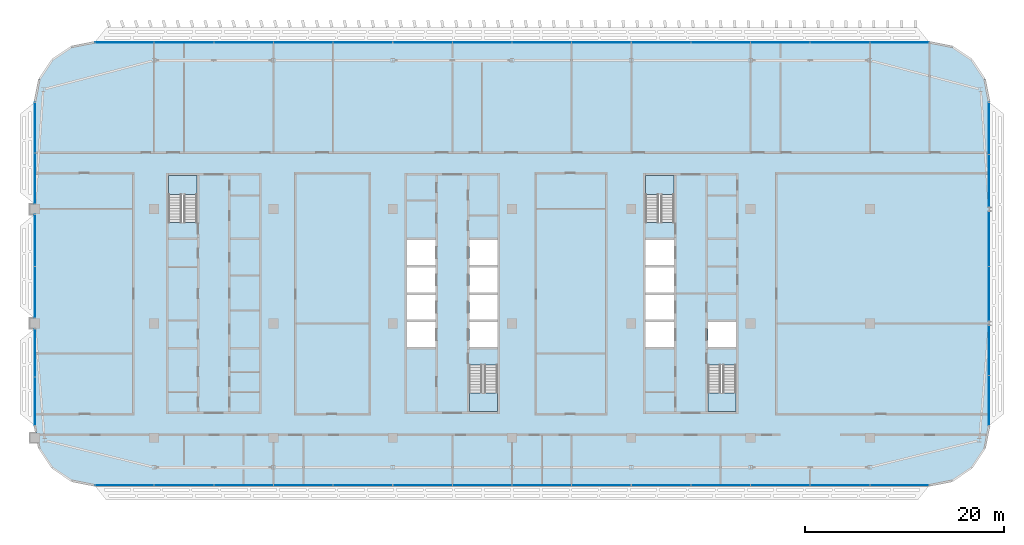
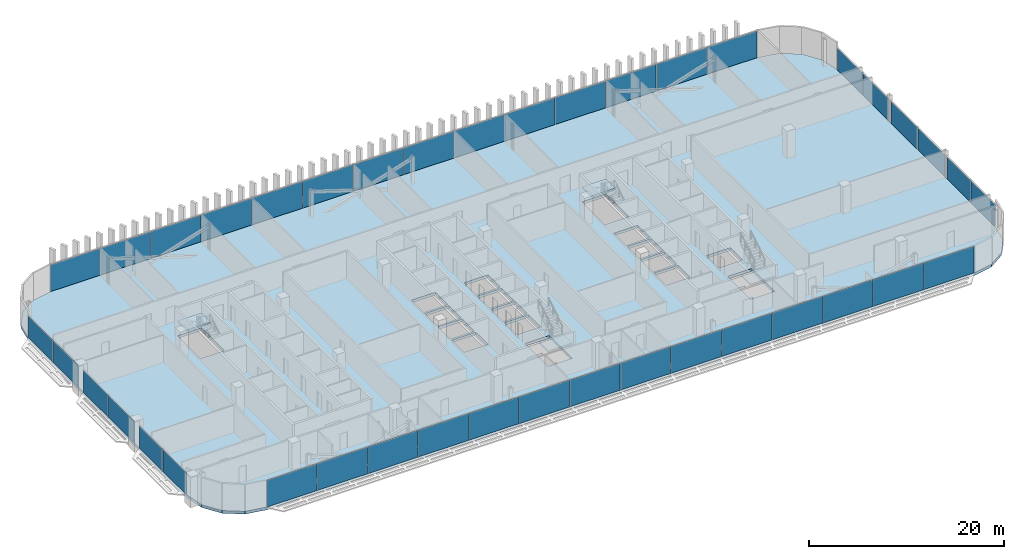
# One storey, part 16 of 32: 40 plates, 5 slabs, 12 elements without a shape of their own.
"""IFC4 building model written with IfcOpenShell, lengths in metres."""

from ifc_helpers import new_model, si_unit, direction, frame, origin, origin_2d, place, context, subcontext, project, spatial, polyline, rectangle, outline, extrude, material, layer, layer_set, type_object, element, aggregate, save


model = new_model("IFC4")

# Units and contexts
model_context = context("Model", 3, precision=1e-05, world=origin(), true_north=direction((0.0, 1.0)))
body_context = subcontext(model_context, "Body", "Model", "MODEL_VIEW")
ifc_project = project(units=[si_unit("LENGTHUNIT", "METRE"), si_unit("AREAUNIT", "SQUARE_METRE"), si_unit("VOLUMEUNIT", "CUBIC_METRE"), si_unit("PLANEANGLEUNIT", "RADIAN"), si_unit("MASSUNIT", "GRAM", prefix="KILO")], contexts=[model_context])

# Site, building, storey
site_placement = place(None, origin())
site = spatial("IfcSite", under=ifc_project, at=site_placement, CompositionType="ELEMENT")
building_placement = place(site_placement, origin())
building = spatial("IfcBuilding", under=site, at=building_placement, Name="Mahtab Terrace Research Tower", CompositionType="ELEMENT")
storey_placement = place(building_placement, frame((0.0, 0.0, 236.199951171875)))
storey = spatial("IfcBuildingStorey", under=building, at=storey_placement, Name="L57", CompositionType="ELEMENT", Elevation=236.199951171875)

# Stair, slab
ifc_material_1 = material(Name="Exit stair half-turn")
stair_type = type_object("IfcStairType", Name="Exit stair half-turn", PredefinedType="HALF_TURN_STAIR", material=ifc_material_1)
stair_1_placement = place(storey_placement, origin())
stair_1 = element("IfcStair", 1, at=stair_1_placement, inside=storey, type_object=stair_type, Name="L57 Protected exit stair ST1", PredefinedType="HALF_TURN_STAIR")
ifc_material_2 = material(Name="Concrete C40/50", Category="concrete")
ifc_layer_1 = layer(ifc_material_2, 0.199951171875)
ifc_layer_set_1 = layer_set([ifc_layer_1], Name="Exit stair landing 200")
slab_type_1 = type_object("IfcSlabType", Name="Exit stair landing 200", PredefinedType="LANDING", material=ifc_layer_set_1)
slab_1_placement = place(storey_placement, frame((0.0, 0.0, 1.699951171875)))
slab_1 = element("IfcSlab", 2, at=slab_1_placement, type_object=slab_type_1, Name="ST1 landing 1", PredefinedType="LANDING", context=body_context, shape_type="SweptSolid", body=[
    extrude(outline(polyline([(-25.699951171875, 12.97509765625), (-25.699951171875, 14.875), (-28.550048828125, 14.875), (-28.550048828125, 12.97509765625), (-25.699951171875, 12.97509765625)])), origin(), (0.0, 0.0, 1.0), 0.2001953125),
])
aggregate(stair_1, [slab_1])

stair_2_placement = place(storey_placement, origin())
stair_2 = element("IfcStair", 3, at=stair_2_placement, inside=storey, type_object=stair_type, Name="L57 Protected exit stair ST2", PredefinedType="HALF_TURN_STAIR")
slab_2_placement = place(storey_placement, frame((0.0, 0.0, 1.699951171875)))
slab_2 = element("IfcSlab", 4, at=slab_2_placement, type_object=slab_type_1, Name="ST2 landing 1", PredefinedType="LANDING", context=body_context, shape_type="SweptSolid", body=[
    extrude(outline(polyline([(1.699951171875, -6.97509765625), (1.699951171875, -8.875), (4.550048828125, -8.875), (4.550048828125, -6.97509765625), (1.699951171875, -6.97509765625)])), origin(), (0.0, 0.0, 1.0), 0.2001953125),
])
aggregate(stair_2, [slab_2])

stair_3_placement = place(storey_placement, origin())
stair_3 = element("IfcStair", 5, at=stair_3_placement, inside=storey, type_object=stair_type, Name="L57 Protected exit stair ST3", PredefinedType="HALF_TURN_STAIR")
slab_3_placement = place(storey_placement, frame((0.0, 0.0, 1.699951171875)))
slab_3 = element("IfcSlab", 6, at=slab_3_placement, type_object=slab_type_1, Name="ST3 landing 1", PredefinedType="LANDING", context=body_context, shape_type="SweptSolid", body=[
    extrude(outline(polyline([(22.300048828125, 12.97509765625), (22.300048828125, 14.875), (19.449951171875, 14.875), (19.449951171875, 12.97509765625), (22.300048828125, 12.97509765625)])), origin(), (0.0, 0.0, 1.0), 0.2001953125),
])
aggregate(stair_3, [slab_3])

stair_4_placement = place(storey_placement, origin())
stair_4 = element("IfcStair", 7, at=stair_4_placement, inside=storey, type_object=stair_type, Name="L57 Protected exit stair ST4", PredefinedType="HALF_TURN_STAIR")
slab_4_placement = place(storey_placement, frame((0.0, 0.0, 1.699951171875)))
slab_4 = element("IfcSlab", 8, at=slab_4_placement, type_object=slab_type_1, Name="ST4 landing 1", PredefinedType="LANDING", context=body_context, shape_type="SweptSolid", body=[
    extrude(outline(polyline([(25.699951171875, -6.97509765625), (25.699951171875, -8.875), (28.550048828125, -8.875), (28.550048828125, -6.97509765625), (25.699951171875, -6.97509765625)])), origin(), (0.0, 0.0, 1.0), 0.2001953125),
])
aggregate(stair_4, [slab_4])

# Curtain wall, plates
ifc_material_3 = material(Name="Office ribbon curtain wall")
curtain_wall_type = type_object("IfcCurtainWallType", Name="Office ribbon curtain wall", PredefinedType="NOTDEFINED", material=ifc_material_3)
curtain_wall_1_placement = place(storey_placement, origin())
curtain_wall_1 = element("IfcCurtainWall", 9, at=curtain_wall_1_placement, inside=storey, type_object=curtain_wall_type, Name="EN.L57.3.3", PredefinedType="NOTDEFINED")
ifc_material_4 = material(Name="Dark glazing", Category="glass")
ifc_layer_2 = layer(ifc_material_4, 0.030029296875)
ifc_layer_set_2 = layer_set([ifc_layer_2], Name="Office ribbon curtain wall glazing panel")
plate_type_1 = type_object("IfcPlateType", Name="Office ribbon curtain wall glazing panel", PredefinedType="CURTAIN_PANEL", material=ifc_layer_set_2)
plate_1_placement = place(storey_placement, frame((44.985107421875, 28.278076171875, 0.0), z_axis=(0.0, 0.0, 1.0), x_axis=(-1.0, 0.0, 0.0)))
plate_1 = element("IfcPlate", 10, at=plate_1_placement, type_object=plate_type_1, Name="CWO-7 panel 1", PredefinedType="CURTAIN_PANEL", context=body_context, shape_type="SweptSolid", body=[
    extrude(rectangle(XDim=5.909912109375, YDim=0.030029296875, at=origin_2d()), origin(), (0.0, 0.0, 1.0), 3.360107421875),
])
plate_2_placement = place(storey_placement, frame((27.0, 28.278076171875, 0.0), z_axis=(0.0, 0.0, 1.0), x_axis=(-1.0, 0.0, 0.0)))
plate_2 = element("IfcPlate", 11, at=plate_2_placement, type_object=plate_type_1, Name="CWO-7 panel 4", PredefinedType="CURTAIN_PANEL", context=body_context, shape_type="SweptSolid", body=[
    extrude(rectangle(XDim=5.93994140625, YDim=0.030029296875, at=origin_2d()), origin(), (0.0, 0.0, 1.0), 3.360107421875),
])
plate_3_placement = place(storey_placement, frame((21.0, 28.278076171875, 0.0), z_axis=(0.0, 0.0, 1.0), x_axis=(-1.0, 0.0, 0.0)))
plate_3 = element("IfcPlate", 12, at=plate_3_placement, type_object=plate_type_1, Name="CWO-7 panel 5", PredefinedType="CURTAIN_PANEL", context=body_context, shape_type="SweptSolid", body=[
    extrude(rectangle(XDim=5.93994140625, YDim=0.030029296875, at=origin_2d()), origin(), (0.0, 0.0, 1.0), 3.360107421875),
])
plate_4_placement = place(storey_placement, frame((15.0, 28.278076171875, 0.0), z_axis=(0.0, 0.0, 1.0), x_axis=(-1.0, 0.0, 0.0)))
plate_4 = element("IfcPlate", 13, at=plate_4_placement, type_object=plate_type_1, Name="CWO-7 panel 6", PredefinedType="CURTAIN_PANEL", context=body_context, shape_type="SweptSolid", body=[
    extrude(rectangle(XDim=5.93994140625, YDim=0.030029296875, at=origin_2d()), origin(), (0.0, 0.0, 1.0), 3.360107421875),
])
plate_5_placement = place(storey_placement, frame((9.0, 28.278076171875, 0.0), z_axis=(0.0, 0.0, 1.0), x_axis=(-1.0, 0.0, 0.0)))
plate_5 = element("IfcPlate", 14, at=plate_5_placement, type_object=plate_type_1, Name="CWO-7 panel 7", PredefinedType="CURTAIN_PANEL", context=body_context, shape_type="SweptSolid", body=[
    extrude(rectangle(XDim=5.93994140625, YDim=0.030029296875, at=origin_2d()), origin(), (0.0, 0.0, 1.0), 3.360107421875),
])
plate_6_placement = place(storey_placement, frame((-9.0, 28.278076171875, 0.0), z_axis=(0.0, 0.0, 1.0), x_axis=(-1.0, 0.0, 0.0)))
plate_6 = element("IfcPlate", 15, at=plate_6_placement, type_object=plate_type_1, Name="CWO-7 panel 10", PredefinedType="CURTAIN_PANEL", context=body_context, shape_type="SweptSolid", body=[
    extrude(rectangle(XDim=5.93994140625, YDim=0.030029296875, at=origin_2d()), origin(), (0.0, 0.0, 1.0), 3.360107421875),
])
plate_7_placement = place(storey_placement, frame((-15.0, 28.278076171875, 0.0), z_axis=(0.0, 0.0, 1.0), x_axis=(-1.0, 0.0, 0.0)))
plate_7 = element("IfcPlate", 16, at=plate_7_placement, type_object=plate_type_1, Name="CWO-7 panel 11", PredefinedType="CURTAIN_PANEL", context=body_context, shape_type="SweptSolid", body=[
    extrude(rectangle(XDim=5.93994140625, YDim=0.030029296875, at=origin_2d()), origin(), (0.0, 0.0, 1.0), 3.360107421875),
])
plate_8_placement = place(storey_placement, frame((-32.985107421875, 28.278076171875, 0.0), z_axis=(0.0, 0.0, 1.0), x_axis=(-1.0, 0.0, 0.0)))
plate_8 = element("IfcPlate", 17, at=plate_8_placement, type_object=plate_type_1, Name="CWO-7 panel 14", PredefinedType="CURTAIN_PANEL", context=body_context, shape_type="SweptSolid", body=[
    extrude(rectangle(XDim=5.909912109375, YDim=0.030029296875, at=origin_2d()), origin(), (0.0, 0.0, 1.0), 3.360107421875),
])

curtain_wall_2_placement = place(storey_placement, origin())
curtain_wall_2 = element("IfcCurtainWall", 18, at=curtain_wall_2_placement, inside=storey, type_object=curtain_wall_type, Name="EN.L57.8.8", PredefinedType="NOTDEFINED")
plate_9_placement = place(storey_placement, frame((-42.0, 19.693603515625, 0.0), z_axis=(0.0, 0.0, 1.0), x_axis=(0.0, -1.0, 0.0)))
plate_9 = element("IfcPlate", 19, at=plate_9_placement, type_object=plate_type_1, Name="CWO-7 panel 1", PredefinedType="CURTAIN_PANEL", context=body_context, shape_type="SweptSolid", body=[
    extrude(rectangle(XDim=5.049072265625, YDim=0.030029296875, at=origin_2d()), origin(), (0.0, 0.0, 1.0), 2.7529296875),
])
plate_10_placement = place(storey_placement, frame((-42.0, 14.58447265625, 0.0), z_axis=(0.0, 0.0, 1.0), x_axis=(0.0, -1.0, 0.0)))
plate_10 = element("IfcPlate", 20, at=plate_10_placement, type_object=plate_type_1, Name="CWO-7 panel 2", PredefinedType="CURTAIN_PANEL", context=body_context, shape_type="SweptSolid", body=[
    extrude(rectangle(XDim=5.049072265625, YDim=0.030029296875, at=origin_2d()), origin(), (0.0, 0.0, 1.0), 2.7529296875),
])
aggregate(curtain_wall_2, [plate_9, plate_10])

curtain_wall_3_placement = place(storey_placement, origin())
curtain_wall_3 = element("IfcCurtainWall", 21, at=curtain_wall_3_placement, inside=storey, type_object=curtain_wall_type, Name="EN.L57.8.9", PredefinedType="NOTDEFINED")
plate_11_placement = place(storey_placement, frame((-42.0, 8.360107421875, 0.0), z_axis=(0.0, 0.0, 1.0), x_axis=(0.0, -1.0, 0.0)))
plate_11 = element("IfcPlate", 22, at=plate_11_placement, type_object=plate_type_1, Name="CWO-7 panel 1", PredefinedType="CURTAIN_PANEL", context=body_context, shape_type="SweptSolid", body=[
    extrude(rectangle(XDim=5.159912109375, YDim=0.030029296875, at=origin_2d()), origin(), (0.0, 0.0, 1.0), 2.7529296875),
])
plate_12_placement = place(storey_placement, frame((-42.0, 3.139892578125, 0.0), z_axis=(0.0, 0.0, 1.0), x_axis=(0.0, -1.0, 0.0)))
plate_12 = element("IfcPlate", 23, at=plate_12_placement, type_object=plate_type_1, Name="CWO-7 panel 2", PredefinedType="CURTAIN_PANEL", context=body_context, shape_type="SweptSolid", body=[
    extrude(rectangle(XDim=5.159912109375, YDim=0.030029296875, at=origin_2d()), origin(), (0.0, 0.0, 1.0), 2.7529296875),
])
aggregate(curtain_wall_3, [plate_11, plate_12])

curtain_wall_4_placement = place(storey_placement, origin())
curtain_wall_4 = element("IfcCurtainWall", 24, at=curtain_wall_4_placement, inside=storey, type_object=curtain_wall_type, Name="EN.L57.8.10", PredefinedType="NOTDEFINED")
plate_13_placement = place(storey_placement, frame((-42.0, -2.95947265625, 0.0), z_axis=(0.0, 0.0, 1.0), x_axis=(0.0, -1.0, 0.0)))
plate_13 = element("IfcPlate", 25, at=plate_13_placement, type_object=plate_type_1, Name="CWO-7 panel 1", PredefinedType="CURTAIN_PANEL", context=body_context, shape_type="SweptSolid", body=[
    extrude(rectangle(XDim=4.799072265625, YDim=0.030029296875, at=origin_2d()), origin(), (0.0, 0.0, 1.0), 2.7529296875),
])
plate_14_placement = place(storey_placement, frame((-42.0, -7.818603515625, 0.0), z_axis=(0.0, 0.0, 1.0), x_axis=(0.0, -1.0, 0.0)))
plate_14 = element("IfcPlate", 26, at=plate_14_placement, type_object=plate_type_1, Name="CWO-7 panel 2", PredefinedType="CURTAIN_PANEL", context=body_context, shape_type="SweptSolid", body=[
    extrude(rectangle(XDim=4.799072265625, YDim=0.030029296875, at=origin_2d()), origin(), (0.0, 0.0, 1.0), 2.7529296875),
])
aggregate(curtain_wall_4, [plate_13, plate_14])

curtain_wall_5_placement = place(storey_placement, origin())
curtain_wall_5 = element("IfcCurtainWall", 27, at=curtain_wall_5_placement, inside=storey, type_object=curtain_wall_type, Name="EN.L57.13.16", PredefinedType="NOTDEFINED")
plate_15_placement = place(storey_placement, frame((-32.985107421875, -16.278076171875, 0.0), z_axis=(0.0, 0.0, 1.0), x_axis=(1.0, 0.0, 0.0)))
plate_15 = element("IfcPlate", 28, at=plate_15_placement, type_object=plate_type_1, Name="CWO-7 panel 1", PredefinedType="CURTAIN_PANEL", context=body_context, shape_type="SweptSolid", body=[
    extrude(rectangle(XDim=5.909912109375, YDim=0.030029296875, at=origin_2d()), origin(), (0.0, 0.0, 1.0), 3.360107421875),
])
plate_16_placement = place(storey_placement, frame((-15.0, -16.278076171875, 0.0), z_axis=(0.0, 0.0, 1.0), x_axis=(1.0, 0.0, 0.0)))
plate_16 = element("IfcPlate", 29, at=plate_16_placement, type_object=plate_type_1, Name="CWO-7 panel 4", PredefinedType="CURTAIN_PANEL", context=body_context, shape_type="SweptSolid", body=[
    extrude(rectangle(XDim=5.93994140625, YDim=0.030029296875, at=origin_2d()), origin(), (0.0, 0.0, 1.0), 3.360107421875),
])
plate_17_placement = place(storey_placement, frame((-9.0, -16.278076171875, 0.0), z_axis=(0.0, 0.0, 1.0), x_axis=(1.0, 0.0, 0.0)))
plate_17 = element("IfcPlate", 30, at=plate_17_placement, type_object=plate_type_1, Name="CWO-7 panel 5", PredefinedType="CURTAIN_PANEL", context=body_context, shape_type="SweptSolid", body=[
    extrude(rectangle(XDim=5.93994140625, YDim=0.030029296875, at=origin_2d()), origin(), (0.0, 0.0, 1.0), 3.360107421875),
])
plate_18_placement = place(storey_placement, frame((-3.0, -16.278076171875, 0.0), z_axis=(0.0, 0.0, 1.0), x_axis=(1.0, 0.0, 0.0)))
plate_18 = element("IfcPlate", 31, at=plate_18_placement, type_object=plate_type_1, Name="CWO-7 panel 6", PredefinedType="CURTAIN_PANEL", context=body_context, shape_type="SweptSolid", body=[
    extrude(rectangle(XDim=5.93994140625, YDim=0.030029296875, at=origin_2d()), origin(), (0.0, 0.0, 1.0), 3.360107421875),
])
plate_19_placement = place(storey_placement, frame((3.0, -16.278076171875, 0.0), z_axis=(0.0, 0.0, 1.0), x_axis=(1.0, 0.0, 0.0)))
plate_19 = element("IfcPlate", 32, at=plate_19_placement, type_object=plate_type_1, Name="CWO-7 panel 7", PredefinedType="CURTAIN_PANEL", context=body_context, shape_type="SweptSolid", body=[
    extrude(rectangle(XDim=5.93994140625, YDim=0.030029296875, at=origin_2d()), origin(), (0.0, 0.0, 1.0), 3.360107421875),
])
plate_20_placement = place(storey_placement, frame((9.0, -16.278076171875, 0.0), z_axis=(0.0, 0.0, 1.0), x_axis=(1.0, 0.0, 0.0)))
plate_20 = element("IfcPlate", 33, at=plate_20_placement, type_object=plate_type_1, Name="CWO-7 panel 8", PredefinedType="CURTAIN_PANEL", context=body_context, shape_type="SweptSolid", body=[
    extrude(rectangle(XDim=5.93994140625, YDim=0.030029296875, at=origin_2d()), origin(), (0.0, 0.0, 1.0), 3.360107421875),
])
plate_21_placement = place(storey_placement, frame((15.0, -16.278076171875, 0.0), z_axis=(0.0, 0.0, 1.0), x_axis=(1.0, 0.0, 0.0)))
plate_21 = element("IfcPlate", 34, at=plate_21_placement, type_object=plate_type_1, Name="CWO-7 panel 9", PredefinedType="CURTAIN_PANEL", context=body_context, shape_type="SweptSolid", body=[
    extrude(rectangle(XDim=5.93994140625, YDim=0.030029296875, at=origin_2d()), origin(), (0.0, 0.0, 1.0), 3.360107421875),
])
plate_22_placement = place(storey_placement, frame((21.0, -16.278076171875, 0.0), z_axis=(0.0, 0.0, 1.0), x_axis=(1.0, 0.0, 0.0)))
plate_22 = element("IfcPlate", 35, at=plate_22_placement, type_object=plate_type_1, Name="CWO-7 panel 10", PredefinedType="CURTAIN_PANEL", context=body_context, shape_type="SweptSolid", body=[
    extrude(rectangle(XDim=5.93994140625, YDim=0.030029296875, at=origin_2d()), origin(), (0.0, 0.0, 1.0), 3.360107421875),
])
plate_23_placement = place(storey_placement, frame((27.0, -16.278076171875, 0.0), z_axis=(0.0, 0.0, 1.0), x_axis=(1.0, 0.0, 0.0)))
plate_23 = element("IfcPlate", 36, at=plate_23_placement, type_object=plate_type_1, Name="CWO-7 panel 11", PredefinedType="CURTAIN_PANEL", context=body_context, shape_type="SweptSolid", body=[
    extrude(rectangle(XDim=5.93994140625, YDim=0.030029296875, at=origin_2d()), origin(), (0.0, 0.0, 1.0), 3.360107421875),
])
plate_24_placement = place(storey_placement, frame((44.985107421875, -16.278076171875, 0.0), z_axis=(0.0, 0.0, 1.0), x_axis=(1.0, 0.0, 0.0)))
plate_24 = element("IfcPlate", 37, at=plate_24_placement, type_object=plate_type_1, Name="CWO-7 panel 14", PredefinedType="CURTAIN_PANEL", context=body_context, shape_type="SweptSolid", body=[
    extrude(rectangle(XDim=5.909912109375, YDim=0.030029296875, at=origin_2d()), origin(), (0.0, 0.0, 1.0), 3.360107421875),
])

curtain_wall_6_placement = place(storey_placement, origin())
curtain_wall_6 = element("IfcCurtainWall", 38, at=curtain_wall_6_placement, inside=storey, type_object=curtain_wall_type, Name="EN.L57.18.21", PredefinedType="NOTDEFINED")
plate_25_placement = place(storey_placement, frame((54.0, -7.74169921875, 0.0), z_axis=(0.0, 0.0, 1.0), x_axis=(0.0, 1.0, 0.0)))
plate_25 = element("IfcPlate", 39, at=plate_25_placement, type_object=plate_type_1, Name="CWO-7 panel 1", PredefinedType="CURTAIN_PANEL", context=body_context, shape_type="SweptSolid", body=[
    extrude(rectangle(XDim=4.952392578125, YDim=0.030029296875, at=origin_2d()), origin(), (0.0, 0.0, 1.0), 2.7529296875),
])
plate_26_placement = place(storey_placement, frame((54.0, -2.729248046875, 0.0), z_axis=(0.0, 0.0, 1.0), x_axis=(0.0, 1.0, 0.0)))
plate_26 = element("IfcPlate", 40, at=plate_26_placement, type_object=plate_type_1, Name="CWO-7 panel 2", PredefinedType="CURTAIN_PANEL", context=body_context, shape_type="SweptSolid", body=[
    extrude(rectangle(XDim=4.952392578125, YDim=0.030029296875, at=origin_2d()), origin(), (0.0, 0.0, 1.0), 2.7529296875),
])
aggregate(curtain_wall_6, [plate_25, plate_26])

curtain_wall_7_placement = place(storey_placement, origin())
curtain_wall_7 = element("IfcCurtainWall", 41, at=curtain_wall_7_placement, inside=storey, type_object=curtain_wall_type, Name="EN.L57.18.22", PredefinedType="NOTDEFINED")
plate_27_placement = place(storey_placement, frame((54.0, 2.986572265625, 0.0), z_axis=(0.0, 0.0, 1.0), x_axis=(0.0, 1.0, 0.0)))
plate_27 = element("IfcPlate", 42, at=plate_27_placement, type_object=plate_type_1, Name="CWO-7 panel 1", PredefinedType="CURTAIN_PANEL", context=body_context, shape_type="SweptSolid", body=[
    extrude(rectangle(XDim=5.467041015625, YDim=0.030029296875, at=origin_2d()), origin(), (0.0, 0.0, 1.0), 2.7529296875),
])
plate_28_placement = place(storey_placement, frame((54.0, 8.513427734375, 0.0), z_axis=(0.0, 0.0, 1.0), x_axis=(0.0, 1.0, 0.0)))
plate_28 = element("IfcPlate", 43, at=plate_28_placement, type_object=plate_type_1, Name="CWO-7 panel 2", PredefinedType="CURTAIN_PANEL", context=body_context, shape_type="SweptSolid", body=[
    extrude(rectangle(XDim=5.467041015625, YDim=0.030029296875, at=origin_2d()), origin(), (0.0, 0.0, 1.0), 2.7529296875),
])
aggregate(curtain_wall_7, [plate_27, plate_28])

curtain_wall_8_placement = place(storey_placement, origin())
curtain_wall_8 = element("IfcCurtainWall", 44, at=curtain_wall_8_placement, inside=storey, type_object=curtain_wall_type, Name="EN.L57.18.23", PredefinedType="NOTDEFINED")
plate_29_placement = place(storey_placement, frame((54.0, 14.354248046875, 0.0), z_axis=(0.0, 0.0, 1.0), x_axis=(0.0, 1.0, 0.0)))
plate_29 = element("IfcPlate", 45, at=plate_29_placement, type_object=plate_type_1, Name="CWO-7 panel 1", PredefinedType="CURTAIN_PANEL", context=body_context, shape_type="SweptSolid", body=[
    extrude(rectangle(XDim=5.202392578125, YDim=0.030029296875, at=origin_2d()), origin(), (0.0, 0.0, 1.0), 2.7529296875),
])
plate_30_placement = place(storey_placement, frame((54.0, 19.61669921875, 0.0), z_axis=(0.0, 0.0, 1.0), x_axis=(0.0, 1.0, 0.0)))
plate_30 = element("IfcPlate", 46, at=plate_30_placement, type_object=plate_type_1, Name="CWO-7 panel 2", PredefinedType="CURTAIN_PANEL", context=body_context, shape_type="SweptSolid", body=[
    extrude(rectangle(XDim=5.202392578125, YDim=0.030029296875, at=origin_2d()), origin(), (0.0, 0.0, 1.0), 2.7529296875),
])
aggregate(curtain_wall_8, [plate_29, plate_30])

# Plate
ifc_material_5 = material(Name="Insulated aluminium spandrel panel", Category="aluminium")
ifc_layer_3 = layer(ifc_material_5, 0.030029296875)
ifc_layer_set_3 = layer_set([ifc_layer_3], Name="Office ribbon curtain wall spandrel infill panel")
plate_type_2 = type_object("IfcPlateType", Name="Office ribbon curtain wall spandrel infill panel", PredefinedType="CURTAIN_PANEL", material=ifc_layer_set_3)
plate_31_placement = place(storey_placement, frame((39.0, 28.278076171875, 0.0), z_axis=(0.0, 0.0, 1.0), x_axis=(-1.0, 0.0, 0.0)))
plate_31 = element("IfcPlate", 47, at=plate_31_placement, type_object=plate_type_2, Name="CWO-7 infill panel 2", PredefinedType="CURTAIN_PANEL", context=body_context, shape_type="SweptSolid", body=[
    extrude(rectangle(XDim=5.93994140625, YDim=0.030029296875, at=origin_2d()), origin(), (0.0, 0.0, 1.0), 3.360107421875),
])

plate_32_placement = place(storey_placement, frame((33.0, 28.278076171875, 0.0), z_axis=(0.0, 0.0, 1.0), x_axis=(-1.0, 0.0, 0.0)))
plate_32 = element("IfcPlate", 48, at=plate_32_placement, type_object=plate_type_2, Name="CWO-7 infill panel 3", PredefinedType="CURTAIN_PANEL", context=body_context, shape_type="SweptSolid", body=[
    extrude(rectangle(XDim=5.93994140625, YDim=0.030029296875, at=origin_2d()), origin(), (0.0, 0.0, 1.0), 3.360107421875),
])

plate_33_placement = place(storey_placement, frame((3.0, 28.278076171875, 0.0), z_axis=(0.0, 0.0, 1.0), x_axis=(-1.0, 0.0, 0.0)))
plate_33 = element("IfcPlate", 49, at=plate_33_placement, type_object=plate_type_2, Name="CWO-7 infill panel 8", PredefinedType="CURTAIN_PANEL", context=body_context, shape_type="SweptSolid", body=[
    extrude(rectangle(XDim=5.93994140625, YDim=0.030029296875, at=origin_2d()), origin(), (0.0, 0.0, 1.0), 3.360107421875),
])

plate_34_placement = place(storey_placement, frame((-3.0, 28.278076171875, 0.0), z_axis=(0.0, 0.0, 1.0), x_axis=(-1.0, 0.0, 0.0)))
plate_34 = element("IfcPlate", 50, at=plate_34_placement, type_object=plate_type_2, Name="CWO-7 infill panel 9", PredefinedType="CURTAIN_PANEL", context=body_context, shape_type="SweptSolid", body=[
    extrude(rectangle(XDim=5.93994140625, YDim=0.030029296875, at=origin_2d()), origin(), (0.0, 0.0, 1.0), 3.360107421875),
])

plate_35_placement = place(storey_placement, frame((-21.0, 28.278076171875, 0.0), z_axis=(0.0, 0.0, 1.0), x_axis=(-1.0, 0.0, 0.0)))
plate_35 = element("IfcPlate", 51, at=plate_35_placement, type_object=plate_type_2, Name="CWO-7 infill panel 12", PredefinedType="CURTAIN_PANEL", context=body_context, shape_type="SweptSolid", body=[
    extrude(rectangle(XDim=5.93994140625, YDim=0.030029296875, at=origin_2d()), origin(), (0.0, 0.0, 1.0), 3.360107421875),
])

plate_36_placement = place(storey_placement, frame((-27.0, 28.278076171875, 0.0), z_axis=(0.0, 0.0, 1.0), x_axis=(-1.0, 0.0, 0.0)))
plate_36 = element("IfcPlate", 52, at=plate_36_placement, type_object=plate_type_2, Name="CWO-7 infill panel 13", PredefinedType="CURTAIN_PANEL", context=body_context, shape_type="SweptSolid", body=[
    extrude(rectangle(XDim=5.93994140625, YDim=0.030029296875, at=origin_2d()), origin(), (0.0, 0.0, 1.0), 3.360107421875),
])

aggregate(curtain_wall_1, [plate_1, plate_31, plate_32, plate_2, plate_3, plate_4, plate_5, plate_33, plate_34, plate_6, plate_7, plate_35, plate_36, plate_8])

plate_37_placement = place(storey_placement, frame((-27.0, -16.278076171875, 0.0), z_axis=(0.0, 0.0, 1.0), x_axis=(1.0, 0.0, 0.0)))
plate_37 = element("IfcPlate", 53, at=plate_37_placement, type_object=plate_type_2, Name="CWO-7 infill panel 2", PredefinedType="CURTAIN_PANEL", context=body_context, shape_type="SweptSolid", body=[
    extrude(rectangle(XDim=5.93994140625, YDim=0.030029296875, at=origin_2d()), origin(), (0.0, 0.0, 1.0), 3.360107421875),
])

plate_38_placement = place(storey_placement, frame((-21.0, -16.278076171875, 0.0), z_axis=(0.0, 0.0, 1.0), x_axis=(1.0, 0.0, 0.0)))
plate_38 = element("IfcPlate", 54, at=plate_38_placement, type_object=plate_type_2, Name="CWO-7 infill panel 3", PredefinedType="CURTAIN_PANEL", context=body_context, shape_type="SweptSolid", body=[
    extrude(rectangle(XDim=5.93994140625, YDim=0.030029296875, at=origin_2d()), origin(), (0.0, 0.0, 1.0), 3.360107421875),
])

plate_39_placement = place(storey_placement, frame((33.0, -16.278076171875, 0.0), z_axis=(0.0, 0.0, 1.0), x_axis=(1.0, 0.0, 0.0)))
plate_39 = element("IfcPlate", 55, at=plate_39_placement, type_object=plate_type_2, Name="CWO-7 infill panel 12", PredefinedType="CURTAIN_PANEL", context=body_context, shape_type="SweptSolid", body=[
    extrude(rectangle(XDim=5.93994140625, YDim=0.030029296875, at=origin_2d()), origin(), (0.0, 0.0, 1.0), 3.360107421875),
])

plate_40_placement = place(storey_placement, frame((39.0, -16.278076171875, 0.0), z_axis=(0.0, 0.0, 1.0), x_axis=(1.0, 0.0, 0.0)))
plate_40 = element("IfcPlate", 56, at=plate_40_placement, type_object=plate_type_2, Name="CWO-7 infill panel 13", PredefinedType="CURTAIN_PANEL", context=body_context, shape_type="SweptSolid", body=[
    extrude(rectangle(XDim=5.93994140625, YDim=0.030029296875, at=origin_2d()), origin(), (0.0, 0.0, 1.0), 3.360107421875),
])

aggregate(curtain_wall_5, [plate_15, plate_37, plate_38, plate_16, plate_17, plate_18, plate_19, plate_20, plate_21, plate_22, plate_23, plate_39, plate_40, plate_24])

# Slab
ifc_layer_4 = layer(ifc_material_2, 0.340087890625)
ifc_layer_set_4 = layer_set([ifc_layer_4], Name="PT flat slab 340")
slab_type_2 = type_object("IfcSlabType", Name="PT flat slab 340", PredefinedType="FLOOR", material=ifc_layer_set_4)
slab_5_placement = place(storey_placement, frame((0.0, 0.0, -0.33984375)))
element("IfcSlab", 57, at=slab_5_placement, inside=storey, type_object=slab_type_2, Name="Floor slab L57", PredefinedType="FLOOR", context=body_context, shape_type="SweptSolid", body=[
    extrude(outline(polyline([(53.54296875, 24.573974609375), (52.242919921875, 26.52099609375), (50.2958984375, 27.821044921875), (48.0, 28.278076171875), (-36.0, 28.278076171875), (-38.2958984375, 27.821044921875), (-40.242919921875, 26.52099609375), (-41.54296875, 24.573974609375), (-42.0, 22.278076171875), (-42.0, -10.278076171875), (-41.54296875, -12.573974609375), (-40.242919921875, -14.52099609375), (-38.2958984375, -15.821044921875), (-36.0, -16.278076171875), (48.0, -16.278076171875), (50.2958984375, -15.821044921875), (52.242919921875, -14.52099609375), (53.54296875, -12.573974609375), (54.0, -10.278076171875), (54.0, 22.278076171875), (53.54296875, 24.573974609375)]), holes=[polyline([(-4.550048828125, -2.375), (-4.550048828125, 0.125), (-1.699951171875, 0.125), (-1.699951171875, -2.375), (-4.550048828125, -2.375)]), polyline([(1.699951171875, -2.375), (1.699951171875, 0.125), (4.550048828125, 0.125), (4.550048828125, -2.375), (1.699951171875, -2.375)]), polyline([(-4.550048828125, 0.375), (-4.550048828125, 2.875), (-1.699951171875, 2.875), (-1.699951171875, 0.375), (-4.550048828125, 0.375)]), polyline([(1.699951171875, 0.375), (1.699951171875, 2.875), (4.550048828125, 2.875), (4.550048828125, 0.375), (1.699951171875, 0.375)]), polyline([(-4.550048828125, 3.125), (-4.550048828125, 5.625), (-1.699951171875, 5.625), (-1.699951171875, 3.125), (-4.550048828125, 3.125)]), polyline([(1.699951171875, 3.125), (1.699951171875, 5.625), (4.550048828125, 5.625), (4.550048828125, 3.125), (1.699951171875, 3.125)]), polyline([(-4.550048828125, 5.875), (-4.550048828125, 8.375), (-1.699951171875, 8.375), (-1.699951171875, 5.875), (-4.550048828125, 5.875)]), polyline([(1.699951171875, 5.875), (1.699951171875, 8.375), (4.550048828125, 8.375), (4.550048828125, 5.875), (1.699951171875, 5.875)]), polyline([(-28.550048828125, 10.177001953125), (-28.550048828125, 14.875), (-25.699951171875, 14.875), (-25.699951171875, 10.177001953125), (-28.550048828125, 10.177001953125)]), polyline([(1.699951171875, -8.875), (1.699951171875, -4.177001953125), (4.550048828125, -4.177001953125), (4.550048828125, -8.875), (1.699951171875, -8.875)]), polyline([(25.699951171875, -8.875), (25.699951171875, -4.177001953125), (28.550048828125, -4.177001953125), (28.550048828125, -8.875), (25.699951171875, -8.875)]), polyline([(19.449951171875, -2.375), (19.449951171875, 0.125), (22.300048828125, 0.125), (22.300048828125, -2.375), (19.449951171875, -2.375)]), polyline([(25.699951171875, -2.375), (25.699951171875, 0.125), (28.550048828125, 0.125), (28.550048828125, -2.375), (25.699951171875, -2.375)]), polyline([(19.449951171875, 0.375), (19.449951171875, 2.875), (22.300048828125, 2.875), (22.300048828125, 0.375), (19.449951171875, 0.375)]), polyline([(19.449951171875, 3.125), (19.449951171875, 5.625), (22.300048828125, 5.625), (22.300048828125, 3.125), (19.449951171875, 3.125)]), polyline([(19.449951171875, 8.375), (22.300048828125, 8.375), (22.300048828125, 5.875), (19.449951171875, 5.875), (19.449951171875, 8.375)]), polyline([(19.449951171875, 14.875), (22.300048828125, 14.875), (22.300048828125, 10.177001953125), (19.449951171875, 10.177001953125), (19.449951171875, 14.875)])]), origin(), (0.0, 0.0, 1.0), 0.33984375),
])

save(model, "model.ifc")
